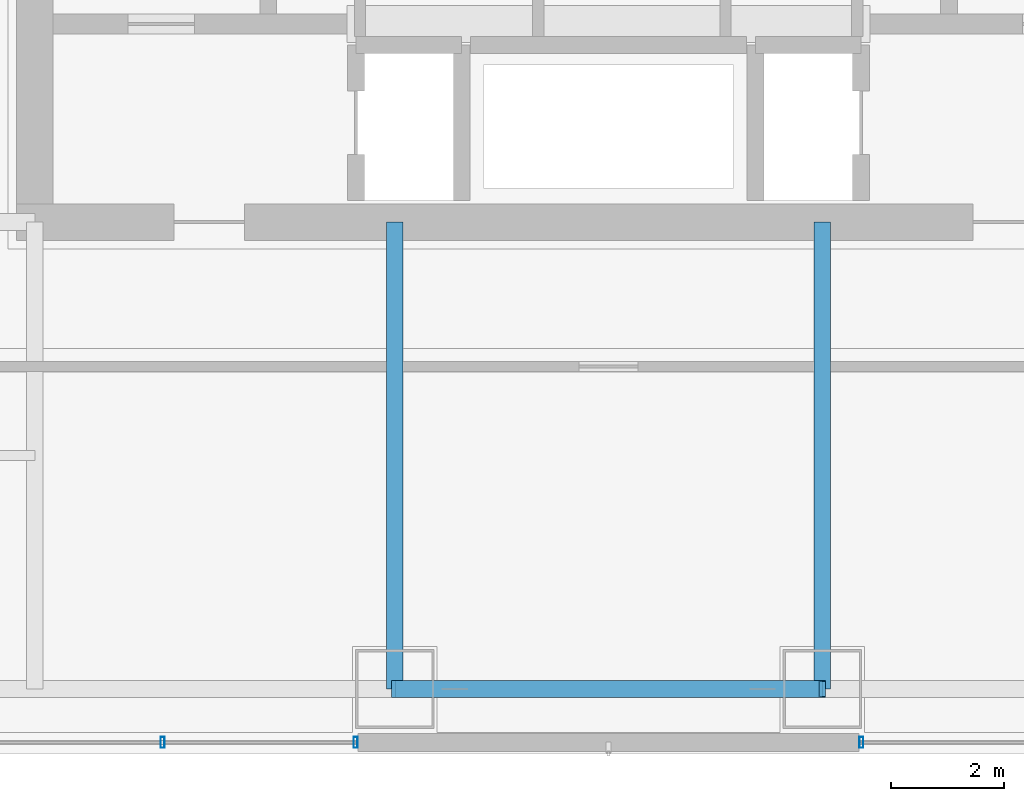
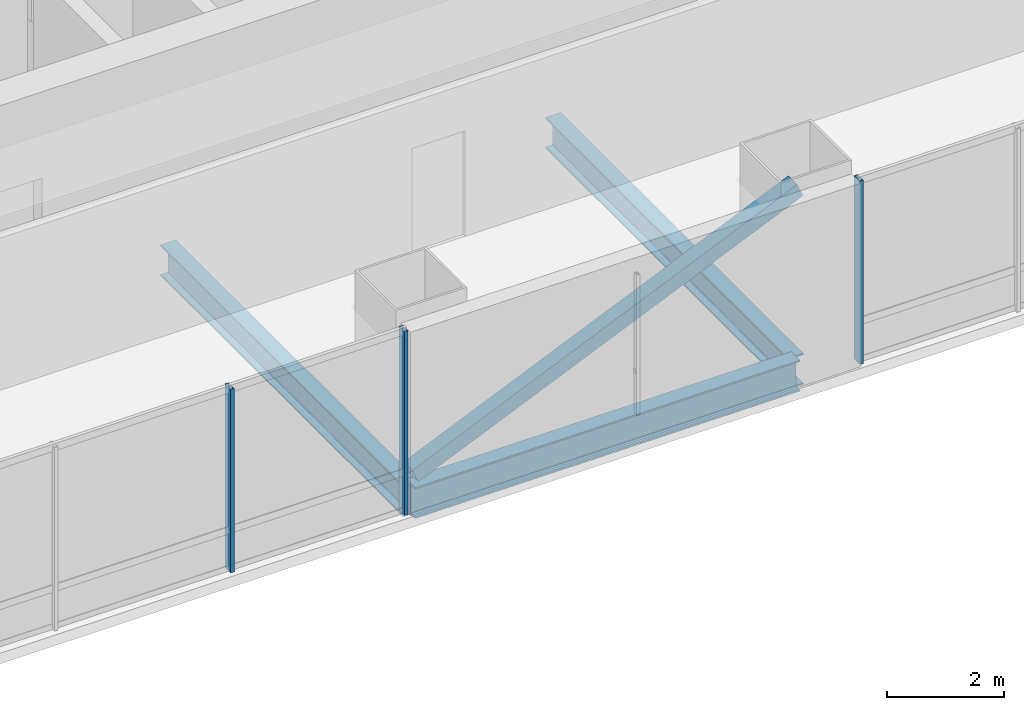
# One storey, part 8 of 38: 4 members, 3 beams, 2 elements without a shape of their own.
"""IFC4 building model written with IfcOpenShell, lengths in metres."""

from ifc_helpers import new_model, si_unit, direction, frame, origin, origin_2d, place, context, subcontext, project, spatial, hollow_rectangle, i_section, extrude, material, material_profile, profile_set, type_object, element, aggregate, save


model = new_model("IFC4")

# Units and contexts
model_context = context("Model", 3, precision=1e-05, world=origin(), true_north=direction((0.0, 1.0)))
body_context = subcontext(model_context, "Body", "Model", "MODEL_VIEW")
ifc_project = project(units=[si_unit("LENGTHUNIT", "METRE"), si_unit("AREAUNIT", "SQUARE_METRE"), si_unit("VOLUMEUNIT", "CUBIC_METRE"), si_unit("PLANEANGLEUNIT", "RADIAN"), si_unit("MASSUNIT", "GRAM", prefix="KILO")], contexts=[model_context])

# Site, building, storey
site_placement = place(None, origin())
site = spatial("IfcSite", under=ifc_project, at=site_placement, CompositionType="ELEMENT")
building_placement = place(site_placement, origin())
building = spatial("IfcBuilding", under=site, at=building_placement, Name="Punatoya Terracotta Tower", CompositionType="ELEMENT")
storey_placement = place(building_placement, frame((0.0, 0.0, 156.0)))
storey = spatial("IfcBuildingStorey", under=building, at=storey_placement, Name="L36", CompositionType="ELEMENT", Elevation=156.0)

# Beams
ifc_material_1 = material(Name="Steel S355", Category="steel")
ifc_material_profile_1 = material_profile(ifc_material_1, i_section(OverallWidth=0.300048828125, OverallDepth=0.64990234375, WebThickness=0.01611328125, FlangeThickness=0.031005859375, FilletRadius=0.01806640625, at=origin_2d()))
ifc_profile_set_1 = profile_set([ifc_material_profile_1], Name="Steel S355")
beam_type = type_object("IfcBeamType", Name="BM-PRI-650", PredefinedType="BEAM", material=ifc_profile_set_1)
beam_placement = place(storey_placement, frame((-3.800048828125, -17.5, -0.544921875), z_axis=(1.0, 0.0, 0.0), x_axis=(0.0, 1.0, 0.0)))
element("IfcBeam", 1, at=beam_placement, inside=storey, type_object=beam_type, Name="BM-L36-RG-S2", PredefinedType="BEAM", context=body_context, shape_type="SweptSolid", body=[
    extrude(i_section(OverallWidth=0.300048828125, OverallDepth=0.64990234375, WebThickness=0.01611328125, FlangeThickness=0.031005859375, FilletRadius=0.01806640625, at=origin_2d()), origin(), (0.0, 0.0, 1.0), 7.60009765625),
])
for number, where, z_axis, x_axis, name in (
    (2, (-3.800048828125, -17.5, -0.544921875), (0.0, 1.0, 0.0), (-1.0, 0.0, 0.0), "BM-L36-PR-S2"),
    (3, (3.800048828125, -17.5, -0.544921875), (0.0, 1.0, 0.0), (-1.0, 0.0, 0.0), "BM-L36-PR-S3"),
):
    element("IfcBeam", number, at=place(storey_placement, frame(where, z_axis=z_axis, x_axis=x_axis)), inside=storey, type_object=beam_type, Name=name, PredefinedType="BEAM", context=body_context, shape_type="SweptSolid", body=[
        extrude(i_section(OverallWidth=0.300048828125, OverallDepth=0.64990234375, WebThickness=0.01611328125, FlangeThickness=0.031005859375, FilletRadius=0.01806640625, at=origin_2d()), origin(), (0.0, 0.0, 1.0), 8.300048828125),
    ])

# Curtain wall, members
ifc_material_2 = material(Name="Aluminium 6063-T6 + Double Low-E Glass", Category="aluminium")
curtain_wall_type = type_object("IfcCurtainWallType", Name="CW-M2", PredefinedType="NOTDEFINED", material=ifc_material_2)
curtain_wall_1_placement = place(storey_placement, origin())
curtain_wall_1 = element("IfcCurtainWall", 4, at=curtain_wall_1_placement, inside=storey, type_object=curtain_wall_type, Name="L36 Curtain Wall CW-L36-S01-1", PredefinedType="NOTDEFINED")
ifc_material_3 = material(Name="Aluminium 6063-T6", Category="aluminium")
ifc_material_profile_2 = material_profile(ifc_material_3, hollow_rectangle(XDim=0.072021484375, YDim=0.195068359375, WallThickness=0.00439453125, at=origin_2d()))
ifc_profile_set_2 = profile_set([ifc_material_profile_2], Name="Aluminium 6063-T6")
member_type_1 = type_object("IfcMemberType", Name="CW-MUL-M2", PredefinedType="MULLION", material=ifc_profile_set_2)
member_1_placement = place(storey_placement, frame((-7.927490234375, -18.449951171875, 0.0), z_axis=(0.0, 0.0, 1.0), x_axis=(1.0, 0.0, 0.0)))
member_1 = element("IfcMember", 5, at=member_1_placement, type_object=member_type_1, Name="CW-L36-S01-1 Mullion 04", PredefinedType="MULLION", context=body_context, shape_type="SweptSolid", body=[
    extrude(hollow_rectangle(XDim=0.072021484375, YDim=0.195068359375, WallThickness=0.00439453125, at=origin_2d()), origin(), (0.0, 0.0, 1.0), 3.830078125),
])
member_2_placement = place(storey_placement, frame((-4.4951171875, -18.449951171875, 0.0), z_axis=(0.0, 0.0, 1.0), x_axis=(1.0, 0.0, 0.0)))
member_2 = element("IfcMember", 6, at=member_2_placement, type_object=member_type_1, Name="CW-L36-S01-1 Mullion 05", PredefinedType="MULLION", context=body_context, shape_type="SweptSolid", body=[
    extrude(hollow_rectangle(XDim=0.072021484375, YDim=0.195068359375, WallThickness=0.00439453125, at=origin_2d()), origin(), (0.0, 0.0, 1.0), 3.830078125),
])
aggregate(curtain_wall_1, [member_1, member_2])

# Curtain wall, member
curtain_wall_2_placement = place(storey_placement, origin())
curtain_wall_2 = element("IfcCurtainWall", 7, at=curtain_wall_2_placement, inside=storey, type_object=curtain_wall_type, Name="L36 Curtain Wall CW-L36-S01-2", PredefinedType="NOTDEFINED")
member_3_placement = place(storey_placement, frame((4.4951171875, -18.449951171875, 0.0), z_axis=(0.0, 0.0, 1.0), x_axis=(1.0, 0.0, 0.0)))
member_3 = element("IfcMember", 8, at=member_3_placement, type_object=member_type_1, Name="CW-L36-S01-2 Mullion 00", PredefinedType="MULLION", context=body_context, shape_type="SweptSolid", body=[
    extrude(hollow_rectangle(XDim=0.072021484375, YDim=0.195068359375, WallThickness=0.00439453125, at=origin_2d()), origin(), (0.0, 0.0, 1.0), 3.830078125),
])
aggregate(curtain_wall_2, [member_3])

# Member
ifc_material_profile_3 = material_profile(ifc_material_1, hollow_rectangle(XDim=0.300048828125, YDim=0.300048828125, WallThickness=0.01611328125, at=origin_2d()))
ifc_profile_set_3 = profile_set([ifc_material_profile_3], Name="Steel S355")
member_type_2 = type_object("IfcMemberType", Name="MEM-WND-300", PredefinedType="BRACE", material=ifc_profile_set_3)
member_4_placement = place(storey_placement, frame((-3.800048828125, -17.5, 0.02001953125), z_axis=(0.916819844003, 0.0, 0.399301106489), x_axis=(0.0, 1.0, 0.0)))
element("IfcMember", 9, at=member_4_placement, inside=storey, type_object=member_type_2, Name="L36 Perimeter Wind Brace S2", PredefinedType="BRACE", context=body_context, shape_type="SweptSolid", body=[
    extrude(hollow_rectangle(XDim=0.300048828125, YDim=0.300048828125, WallThickness=0.01611328125, at=origin_2d()), origin(), (0.0, 0.0, 1.0), 8.28955078125),
])

save(model, "model.ifc")
